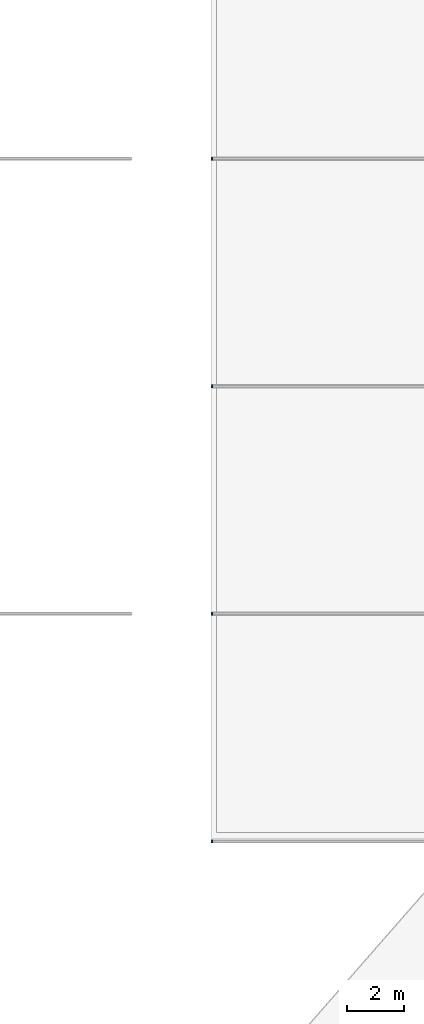
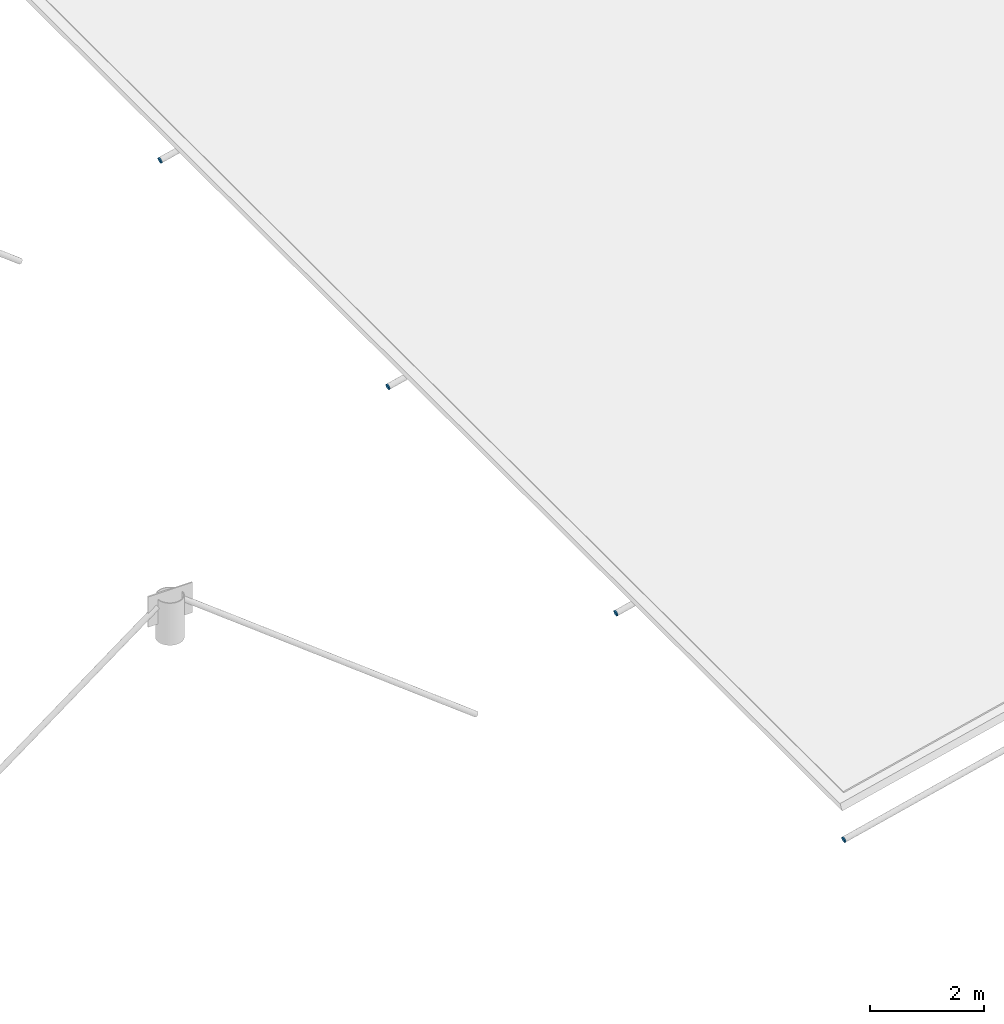
# One storey, part 61 of 71: 4 discrete accessories.
"""IFC4 building model written with IfcOpenShell, lengths in metres."""

from ifc_helpers import new_model, si_unit, derived_unit, direction, frame, origin, origin_2d, place, context, subcontext, project, spatial, circle, extrude, material, type_object, element, save


model = new_model("IFC4")

# Units and contexts
model_context = context("Model", 3, precision=1e-05, world=origin(), true_north=direction((0.0, 1.0)))
body_context = subcontext(model_context, "Body", "Model", "MODEL_VIEW")
ifc_project = project(units=[si_unit("LENGTHUNIT", "METRE"), si_unit("AREAUNIT", "SQUARE_METRE"), si_unit("VOLUMEUNIT", "CUBIC_METRE"), si_unit("PLANEANGLEUNIT", "RADIAN"), si_unit("MASSUNIT", "GRAM", prefix="KILO"), derived_unit("THERMALTRANSMITTANCEUNIT", [(si_unit("MASSUNIT", "GRAM", prefix="KILO"), 1), (si_unit("TIMEUNIT", "SECOND"), -3), (si_unit("THERMODYNAMICTEMPERATUREUNIT", "KELVIN"), -1)])], contexts=[model_context])

# Site, building, storey
site_placement = place(None, origin())
site = spatial("IfcSite", under=ifc_project, at=site_placement, CompositionType="ELEMENT")
building_placement = place(site_placement, origin())
building = spatial("IfcBuilding", under=site, at=building_placement, Name="Zhenchuan Archway Interchange", CompositionType="ELEMENT")
storey_placement = place(building_placement, frame((0.0, 0.0, 18.60009765625)))
storey = spatial("IfcBuildingStorey", under=building, at=storey_placement, Name="L04", CompositionType="ELEMENT", Elevation=18.60009765625)

# Discrete accessories
ifc_material = material(Name="Steel Q390", Category="steel")
discrete_accessory_type = type_object("IfcDiscreteAccessoryType", Name="CAP_MB_CBL_CHS114", PredefinedType="USERDEFINED", material=ifc_material)
for number, where, z_axis, x_axis, name in (
    (1, (27.025634765625, 32.0, -2.656005859375), (0.972387301981, 0.0, 0.233372952475), (0.0, 1.0, 0.0), "End plate at the start of CONCOURSE ROOF CABLE west radial strand 1"),
    (2, (27.025634765625, 40.0, -2.656005859375), (0.972387301981, 0.0, 0.233372952475), (0.0, 1.0, 0.0), "End plate at the start of CONCOURSE ROOF CABLE west radial strand 2"),
    (3, (27.025634765625, 48.0, -2.656005859375), (0.972387301981, 0.0, 0.233372952475), (0.0, 1.0, 0.0), "End plate at the start of CONCOURSE ROOF CABLE west radial strand 3"),
    (4, (27.025634765625, 56.0, -2.656005859375), (0.972387301981, 0.0, 0.233372952475), (0.0, 1.0, 0.0), "End plate at the start of CONCOURSE ROOF CABLE west radial strand 4"),
):
    element("IfcDiscreteAccessory", number, at=place(storey_placement, frame(where, z_axis=z_axis, x_axis=x_axis)), inside=storey, type_object=discrete_accessory_type, Name=name, ObjectType="END PLATE", PredefinedType="USERDEFINED", context=body_context, shape_type="SweptSolid", body=[
        extrude(circle(Radius=0.056884765625, at=origin_2d()), origin(), (0.0, 0.0, 1.0), 0.025146484375),
    ])

save(model, "model.ifc")
